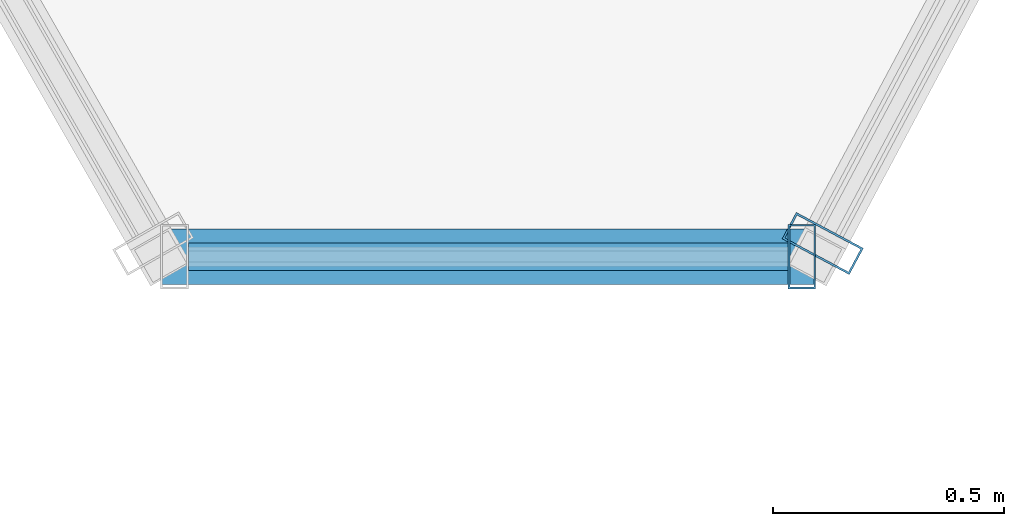
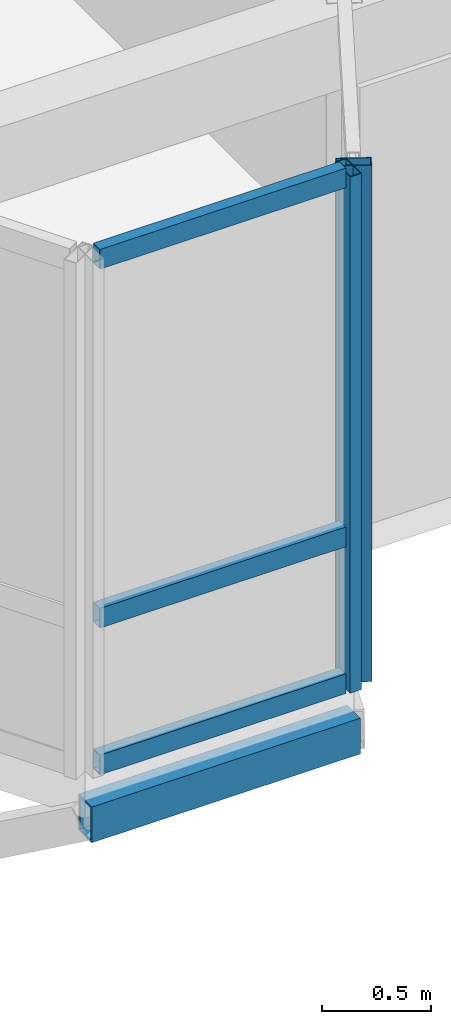
# One storey, part 38 of 77: 6 members, 2 elements without a shape of their own.
"""IFC4 building model written with IfcOpenShell, lengths in metres."""

from ifc_helpers import new_model, si_unit, direction, frame, origin, origin_2d, place, context, subcontext, project, spatial, hollow_rectangle, extrude, material, layer, layer_set, material_profile, profile_set, type_object, element, aggregate, save


model = new_model("IFC4")

# Units and contexts
model_context = context("Model", 3, precision=1e-05, world=origin(), true_north=direction((0.0, 1.0)))
body_context = subcontext(model_context, "Body", "Model", "MODEL_VIEW")
ifc_project = project(units=[si_unit("LENGTHUNIT", "METRE"), si_unit("AREAUNIT", "SQUARE_METRE"), si_unit("VOLUMEUNIT", "CUBIC_METRE"), si_unit("PLANEANGLEUNIT", "RADIAN"), si_unit("MASSUNIT", "GRAM", prefix="KILO"), si_unit("THERMODYNAMICTEMPERATUREUNIT", "KELVIN"), si_unit("POWERUNIT", "WATT")], contexts=[model_context])

# Site, building, storey
site_placement = place(None, origin())
site = spatial("IfcSite", under=ifc_project, at=site_placement, CompositionType="ELEMENT")
building_placement = place(site_placement, origin())
building = spatial("IfcBuilding", under=site, at=building_placement, Name="Tavuni Mirador Residences", CompositionType="ELEMENT")
storey_placement = place(building_placement, frame((0.0, 0.0, 17.10009765625)))
storey = spatial("IfcBuildingStorey", under=building, at=storey_placement, Name="L05", CompositionType="ELEMENT", Elevation=17.10009765625)

# Curtain wall, member
ifc_material_1 = material(Name="Anodised aluminium", Category="aluminium")
ifc_layer_1 = layer(ifc_material_1, 0.1650390625, Name="Anodised aluminium", Category="aluminium")
ifc_layer_set_1 = layer_set([ifc_layer_1], Name="Anodised aluminium")
curtain_wall_type_1 = type_object("IfcCurtainWallType", Name="CWT-MIR-A", PredefinedType="NOTDEFINED", material=ifc_layer_set_1)
curtain_wall_1_placement = place(storey_placement, origin())
curtain_wall_1 = element("IfcCurtainWall", 1, at=curtain_wall_1_placement, inside=storey, type_object=curtain_wall_type_1, Name="CW-MIR-C-S3-L05-MF", PredefinedType="NOTDEFINED")
ifc_material_profile_1 = material_profile(ifc_material_1, hollow_rectangle(XDim=0.06005859375, YDim=0.139892578125, WallThickness=0.00390625, at=origin_2d()), Name="ALU 60x140x4.0", Category="aluminium")
ifc_profile_set_1 = profile_set([ifc_material_profile_1], Name="Anodised aluminium")
member_type_1 = type_object("IfcMemberType", Name="CWM-140", PredefinedType="MULLION", material=ifc_profile_set_1)
member_1_placement = place(storey_placement, frame((49.14990234375, 142.800048828125, 0.0), z_axis=(0.0, 0.0, 1.0), x_axis=(1.0, 0.0, 0.0)))
member_1 = element("IfcMember", 2, at=member_1_placement, type_object=member_type_1, Name="CW-01 mullion 2", PredefinedType="MULLION", context=body_context, shape_type="SweptSolid", body=[
    extrude(hollow_rectangle(XDim=0.06005859375, YDim=0.139892578125, WallThickness=0.00390625, at=origin_2d()), origin(), (0.0, 0.0, 1.0), 2.885009765625),
])

ifc_layer_2 = layer(ifc_material_1, 0.14990234375, Name="Anodised aluminium", Category="aluminium")
ifc_layer_set_2 = layer_set([ifc_layer_2], Name="Anodised aluminium")
curtain_wall_type_2 = type_object("IfcCurtainWallType", Name="CWT-MIR-B", PredefinedType="NOTDEFINED", material=ifc_layer_set_2)
curtain_wall_2_placement = place(storey_placement, origin())
curtain_wall_2 = element("IfcCurtainWall", 3, at=curtain_wall_2_placement, inside=storey, type_object=curtain_wall_type_2, Name="CW-MIR-C-S3-L05-M2", PredefinedType="NOTDEFINED")
ifc_material_profile_2 = material_profile(ifc_material_1, hollow_rectangle(XDim=0.06494140625, YDim=0.1650390625, WallThickness=0.00439453125, at=origin_2d()), Name="ALU 65x165x4.5", Category="aluminium")
ifc_profile_set_2 = profile_set([ifc_material_profile_2], Name="Anodised aluminium")
member_type_2 = type_object("IfcMemberType", Name="CWM-165", PredefinedType="MULLION", material=ifc_profile_set_2)
member_2_placement = place(storey_placement, frame((49.1953125, 142.82861328125, 0.0), z_axis=(0.0, 0.0, 1.0), x_axis=(0.470588235296, 0.882352941175, 0.0)))
member_2 = element("IfcMember", 4, at=member_2_placement, type_object=member_type_2, Name="CW-02 mullion 1", PredefinedType="MULLION", context=body_context, shape_type="SweptSolid", body=[
    extrude(hollow_rectangle(XDim=0.06494140625, YDim=0.1650390625, WallThickness=0.00439453125, at=origin_2d()), origin(), (0.0, 0.0, 1.0), 2.885009765625),
])
aggregate(curtain_wall_2, [member_2])

# Member
ifc_material_profile_3 = material_profile(ifc_material_1, hollow_rectangle(XDim=0.06005859375, YDim=0.110107421875, WallThickness=0.00390625, at=origin_2d()), Name="ALU 60x110x4.0", Category="aluminium")
ifc_profile_set_3 = profile_set([ifc_material_profile_3], Name="Anodised aluminium")
member_type_3 = type_object("IfcMemberType", Name="CWT-110", PredefinedType="USERDEFINED", material=ifc_profile_set_3)
member_3_placement = place(storey_placement, frame((47.820068359375, 142.800048828125, 0.02978515625), z_axis=(1.0, 0.0, 0.0), x_axis=(0.0, 1.0, 0.0)))
member_3 = element("IfcMember", 5, at=member_3_placement, type_object=member_type_3, Name="CW-01 transom 1.1", ObjectType="TRANSOM", PredefinedType="USERDEFINED", context=body_context, shape_type="SweptSolid", body=[
    extrude(hollow_rectangle(XDim=0.06005859375, YDim=0.110107421875, WallThickness=0.00390625, at=origin_2d()), origin(), (0.0, 0.0, 1.0), 1.300048828125),
])

member_4_placement = place(storey_placement, frame((47.820068359375, 142.800048828125, 0.849853515625), z_axis=(1.0, 0.0, 0.0), x_axis=(0.0, 1.0, 0.0)))
member_4 = element("IfcMember", 6, at=member_4_placement, type_object=member_type_3, Name="CW-01 transom 1.2", ObjectType="TRANSOM", PredefinedType="USERDEFINED", context=body_context, shape_type="SweptSolid", body=[
    extrude(hollow_rectangle(XDim=0.06005859375, YDim=0.110107421875, WallThickness=0.00390625, at=origin_2d()), origin(), (0.0, 0.0, 1.0), 1.300048828125),
])

member_5_placement = place(storey_placement, frame((47.820068359375, 142.800048828125, 2.85498046875), z_axis=(1.0, 0.0, 0.0), x_axis=(0.0, 1.0, 0.0)))
member_5 = element("IfcMember", 7, at=member_5_placement, type_object=member_type_3, Name="CW-01 transom 1.3", ObjectType="TRANSOM", PredefinedType="USERDEFINED", context=body_context, shape_type="SweptSolid", body=[
    extrude(hollow_rectangle(XDim=0.06005859375, YDim=0.110107421875, WallThickness=0.00390625, at=origin_2d()), origin(), (0.0, 0.0, 1.0), 1.300048828125),
])

aggregate(curtain_wall_1, [member_1, member_3, member_4, member_5])

ifc_material_2 = material(Name="Structural steel S355", Category="steel")
ifc_material_profile_4 = material_profile(ifc_material_2, hollow_rectangle(XDim=0.1201171875, YDim=0.199951171875, WallThickness=0.010009765625, at=origin_2d()), Name="RHS 200x120x10.0", Category="steel")
ifc_profile_set_4 = profile_set([ifc_material_profile_4], Name="Structural steel S355")
member_type_4 = type_object("IfcMemberType", Name="MT-ST-RHS200", PredefinedType="STRUT", material=ifc_profile_set_4)
member_6_placement = place(storey_placement, frame((47.760009765625, 142.800048828125, -0.26513671875), z_axis=(1.0, 0.0, 0.0), x_axis=(0.0, 1.0, 0.0)))
element("IfcMember", 8, at=member_6_placement, inside=storey, type_object=member_type_4, Name="MRIM-MIR-C-S3-L05", PredefinedType="STRUT", context=body_context, shape_type="SweptSolid", body=[
    extrude(hollow_rectangle(XDim=0.1201171875, YDim=0.199951171875, WallThickness=0.010009765625, at=origin_2d()), origin(), (0.0, 0.0, 1.0), 1.419921875),
])

save(model, "model.ifc")
